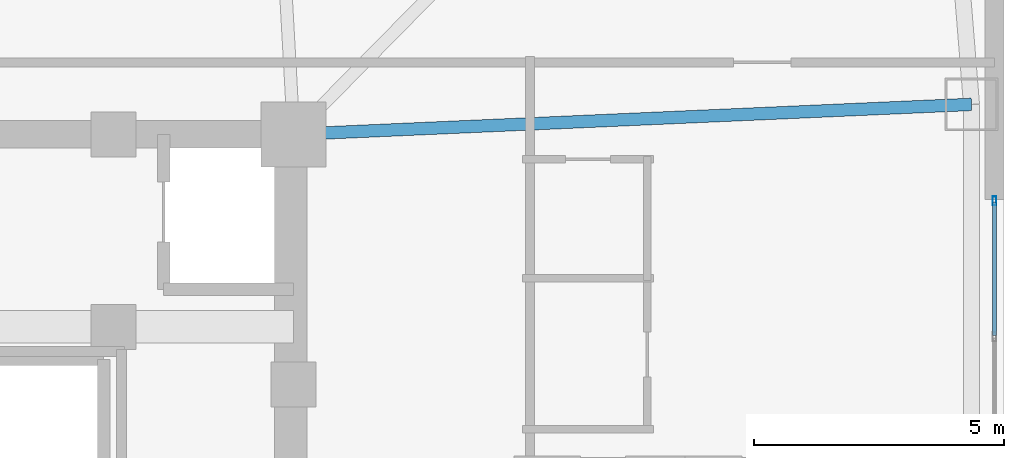
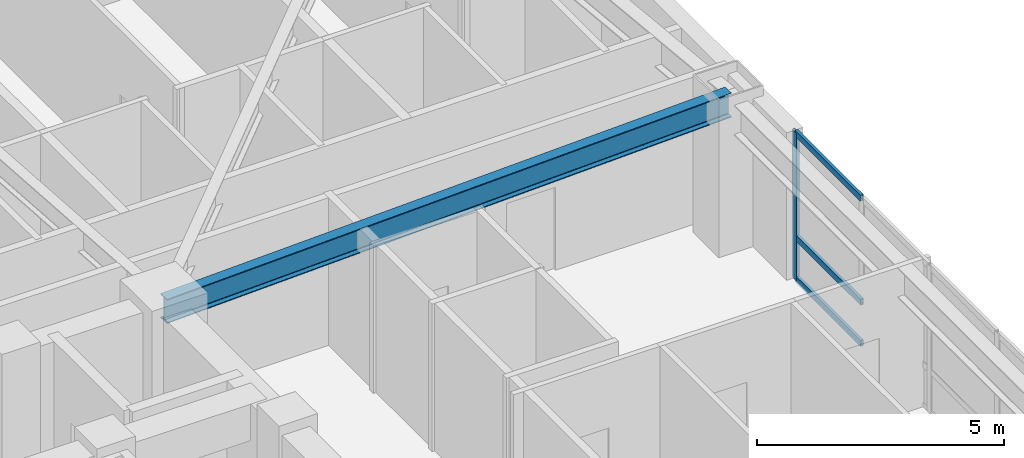
# One storey, part 15 of 28: 4 members, 1 beam, 1 element without a shape of its own.
"""IFC4 building model written with IfcOpenShell, lengths in metres."""

from ifc_helpers import new_model, si_unit, direction, frame, origin, origin_2d, place, context, subcontext, project, spatial, hollow_rectangle, i_section, extrude, material, layer, layer_set, material_profile, profile_set, type_object, element, aggregate, save


model = new_model("IFC4")

# Units and contexts
model_context = context("Model", 3, precision=1e-05, world=origin(), true_north=direction((0.0, 1.0)))
body_context = subcontext(model_context, "Body", "Model", "MODEL_VIEW")
ifc_project = project(units=[si_unit("LENGTHUNIT", "METRE"), si_unit("AREAUNIT", "SQUARE_METRE"), si_unit("VOLUMEUNIT", "CUBIC_METRE"), si_unit("PLANEANGLEUNIT", "RADIAN"), si_unit("MASSUNIT", "GRAM", prefix="KILO")], contexts=[model_context])

# Site, building, storey
site_placement = place(None, origin())
site = spatial("IfcSite", under=ifc_project, at=site_placement, CompositionType="ELEMENT")
building_placement = place(site_placement, origin())
building = spatial("IfcBuilding", under=site, at=building_placement, Name="Voryun Gate Residences", CompositionType="ELEMENT")
storey_placement = place(building_placement, frame((0.0, 0.0, 117.0)))
storey = spatial("IfcBuildingStorey", under=building, at=storey_placement, Name="L28", CompositionType="ELEMENT", Elevation=117.0)

# Beam
ifc_material_1 = material(Name="Steel SM355", Category="steel")
ifc_material_profile_1 = material_profile(ifc_material_1, i_section(OverallWidth=0.25, OverallDepth=0.60009765625, WebThickness=0.011962890625, FlangeThickness=0.02197265625, FilletRadius=0.01806640625, at=origin_2d()), Name="H-600x250x12x22")
ifc_profile_set_1 = profile_set([ifc_material_profile_1], Name="Steel SM355")
beam_type = type_object("IfcBeamType", Name="BM_GIRD_600", PredefinedType="USERDEFINED", material=ifc_profile_set_1)
beam_placement = place(storey_placement, frame((19.199951171875, 7.39990234375, 3.35009765625), z_axis=(0.999027104014, 0.044100401882, 0.0), x_axis=(-0.044100401882, 0.999027104014, 0.0)))
element("IfcBeam", 1, at=beam_placement, inside=storey, type_object=beam_type, Name="BM-L28-RAD-E2", ObjectType="GIRDER", PredefinedType="USERDEFINED", context=body_context, shape_type="SweptSolid", body=[
    extrude(i_section(OverallWidth=0.25, OverallDepth=0.60009765625, WebThickness=0.011962890625, FlangeThickness=0.02197265625, FilletRadius=0.01806640625, at=origin_2d()), origin(), (0.0, 0.0, 1.0), 13.563232421875),
])

# Curtain wall, members
ifc_material_2 = material(Name="Anodised aluminium", Category="aluminium")
ifc_layer = layer(ifc_material_2, 0.179931640625, Name="CW_SYS_RES_A_DARK_GLASS")
ifc_layer_set = layer_set([ifc_layer], Name="Anodised aluminium")
curtain_wall_type = type_object("IfcCurtainWallType", Name="CW_SYS_RES_A_DARK_GLASS", PredefinedType="NOTDEFINED", material=ifc_layer_set)
curtain_wall_placement = place(storey_placement, origin())
curtain_wall = element("IfcCurtainWall", 2, at=curtain_wall_placement, inside=storey, type_object=curtain_wall_type, Name="Curtain wall CWT-L28-16", PredefinedType="NOTDEFINED")
ifc_material_3 = material(Name="Anodised aluminium", Category="aluminium")
ifc_material_profile_2 = material_profile(ifc_material_3, hollow_rectangle(XDim=0.070068359375, YDim=0.179931640625, WallThickness=0.00390625, at=origin_2d()), Name="ALU-MULL-180x70x4")
ifc_profile_set_2 = profile_set([ifc_material_profile_2], Name="Anodised aluminium")
member_type_1 = type_object("IfcMemberType", Name="CW_MULL_RES", PredefinedType="MULLION", material=ifc_profile_set_2)
member_1_placement = place(storey_placement, frame((33.2099609375, 6.068115234375, 0.0), z_axis=(0.0, 0.0, 1.0), x_axis=(1.0, 0.0, 0.0)))
member_1 = element("IfcMember", 3, at=member_1_placement, type_object=member_type_1, Name="CW3 mullion 1", PredefinedType="MULLION", context=body_context, shape_type="SweptSolid", body=[
    extrude(hollow_rectangle(XDim=0.070068359375, YDim=0.179931640625, WallThickness=0.00390625, at=origin_2d()), origin(), (0.0, 0.0, 1.0), 3.64990234375),
])
ifc_material_4 = material(Name="Anodised aluminium", Category="aluminium")
ifc_material_profile_3 = material_profile(ifc_material_4, hollow_rectangle(XDim=0.070068359375, YDim=0.14990234375, WallThickness=0.00390625, at=origin_2d()), Name="ALU-TRAN-150x70x4")
ifc_profile_set_3 = profile_set([ifc_material_profile_3], Name="Anodised aluminium")
member_type_2 = type_object("IfcMemberType", Name="CW_TRAN_RES", PredefinedType="USERDEFINED", material=ifc_profile_set_3)
member_2_placement = place(storey_placement, frame((33.2099609375, 6.0380859375, 0.030029296875), z_axis=(0.0, -1.0, 0.0), x_axis=(1.0, 0.0, 0.0)))
member_2 = element("IfcMember", 4, at=member_2_placement, type_object=member_type_2, Name="CW3 transom 1.1", ObjectType="TRANSOM", PredefinedType="USERDEFINED", context=body_context, shape_type="SweptSolid", body=[
    extrude(hollow_rectangle(XDim=0.070068359375, YDim=0.14990234375, WallThickness=0.00390625, at=origin_2d()), origin(), (0.0, 0.0, 1.0), 2.6591796875),
])
member_3_placement = place(storey_placement, frame((33.2099609375, 6.0380859375, 1.050048828125), z_axis=(0.0, -1.0, 0.0), x_axis=(1.0, 0.0, 0.0)))
member_3 = element("IfcMember", 5, at=member_3_placement, type_object=member_type_2, Name="CW3 transom 1.2", ObjectType="TRANSOM", PredefinedType="USERDEFINED", context=body_context, shape_type="SweptSolid", body=[
    extrude(hollow_rectangle(XDim=0.070068359375, YDim=0.14990234375, WallThickness=0.00390625, at=origin_2d()), origin(), (0.0, 0.0, 1.0), 2.6591796875),
])
member_4_placement = place(storey_placement, frame((33.2099609375, 6.0380859375, 3.6201171875), z_axis=(0.0, -1.0, 0.0), x_axis=(1.0, 0.0, 0.0)))
member_4 = element("IfcMember", 6, at=member_4_placement, type_object=member_type_2, Name="CW3 transom 1.3", ObjectType="TRANSOM", PredefinedType="USERDEFINED", context=body_context, shape_type="SweptSolid", body=[
    extrude(hollow_rectangle(XDim=0.070068359375, YDim=0.14990234375, WallThickness=0.00390625, at=origin_2d()), origin(), (0.0, 0.0, 1.0), 2.6591796875),
])
aggregate(curtain_wall, [member_1, member_2, member_3, member_4])

save(model, "model.ifc")
